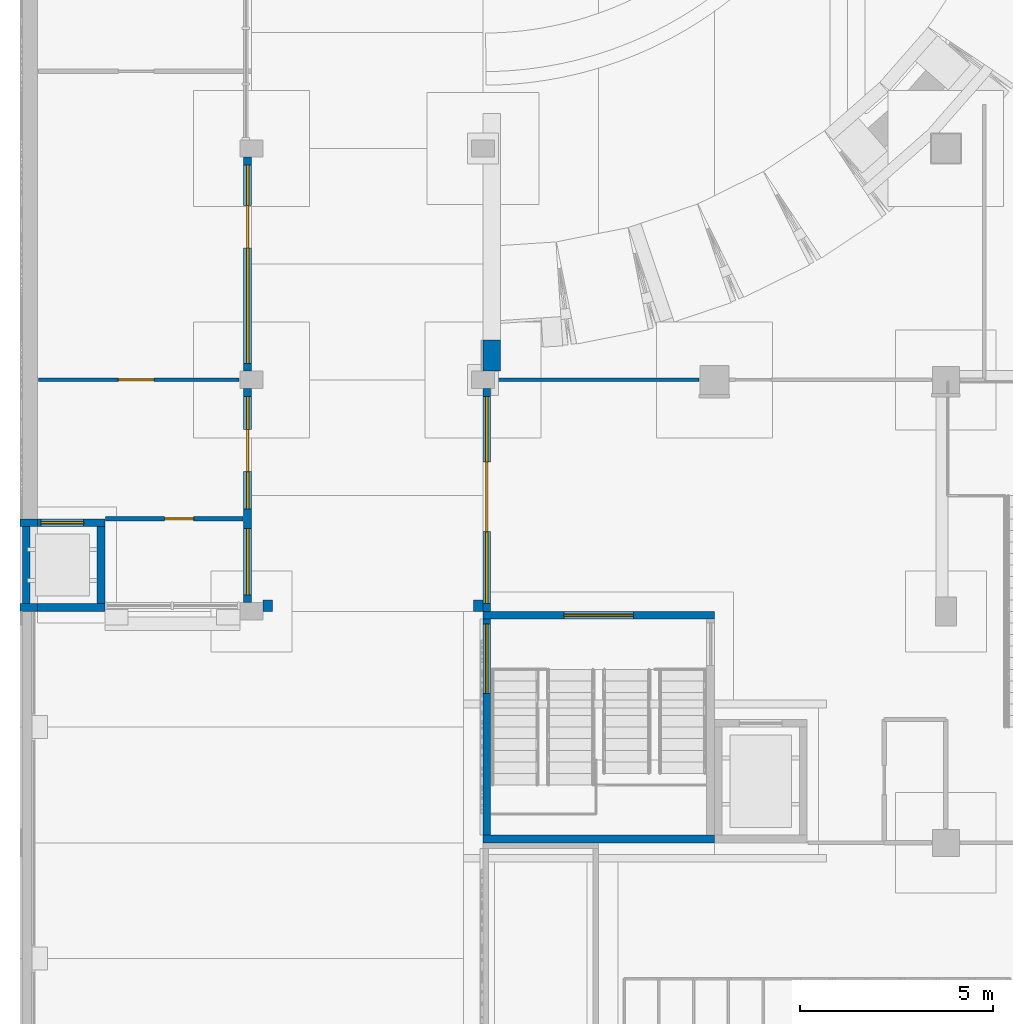
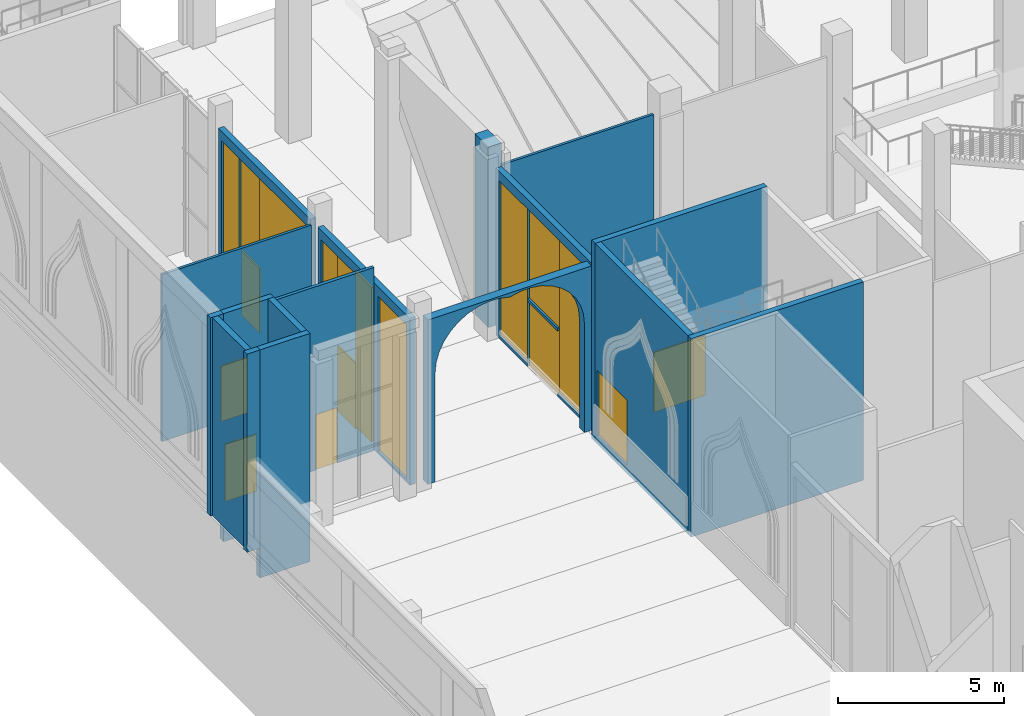
# One storey, part 49 of 95: 17 walls, 10 windows, 8 doors, 18 openings.
"""IFC4 building model written with IfcOpenShell, lengths in metres."""

import ifcopenshell
import ifcopenshell.guid

model = None  # the IFC model being written
_history = None  # IfcOwnerHistory: only IFC2X3 demands one
_inside = {}  # id of a spatial element -> (the spatial element, [elements in it])
_under = {}  # id of a project, library or spatial element -> (it, [spatial elements below it])
_declared = {}  # id of a project -> (the project, [libraries it declares])
_typed = {}  # id of a type object -> (the type object, [elements of that type])
_made_of = {}  # id of a material, layer set ... -> (it, [elements and type objects made of it])


def new_model(schema):
    """Start an empty IFC model of exactly this schema.

    Asked for "IFC4X3", IfcOpenShell would pick the latest addendum, in which some entities
    have other attributes; the version numbers below select the first issue.
    IFC2X3 requires an IfcOwnerHistory on every rooted entity: one is made here for all.
    """
    global model, _history
    if schema == "IFC4X3":
        model = ifcopenshell.file(schema_version=(4, 3, 0, 0))
    else:
        model = ifcopenshell.file(schema=schema)
    _inside.clear()
    _under.clear()
    _declared.clear()
    _typed.clear()
    _made_of.clear()
    _history = None
    if model.schema == "IFC2X3":
        org = make("IfcOrganization", Name="unknown")
        user = make(
            "IfcPersonAndOrganization",
            ThePerson=make("IfcPerson", FamilyName="unknown"),
            TheOrganization=org,
        )
        app = make(
            "IfcApplication",
            ApplicationDeveloper=org,
            Version="unknown",
            ApplicationFullName="unknown",
            ApplicationIdentifier="unknown",
        )
        _history = make(
            "IfcOwnerHistory",
            OwningUser=user,
            OwningApplication=app,
            ChangeAction="ADDED",
            CreationDate=0,
        )
    return model


def make(cls, **values):
    """One entity of the class cls with the attributes given. An attribute that is None is left unset."""
    return model.create_entity(
        cls, **{name: value for name, value in values.items() if value is not None}
    )


def rooted(cls, **values):
    """An entity with a GlobalId (a new one), such as an element, a storey or a relation."""
    return make(cls, GlobalId=ifcopenshell.guid.new(), OwnerHistory=_history, **values)


def si_unit(unit_type, name, prefix=None):
    """IfcSIUnit, for example si_unit("LENGTHUNIT", "METRE", prefix="MILLI")."""
    return make("IfcSIUnit", UnitType=unit_type, Prefix=prefix, Name=name)


def assignment(units):
    """IfcUnitAssignment: the units of a project."""
    return None if units is None else make("IfcUnitAssignment", Units=units)


def point(xyz):
    """IfcCartesianPoint."""
    return None if xyz is None else make("IfcCartesianPoint", Coordinates=xyz)


def direction(xyz):
    """IfcDirection."""
    return None if xyz is None else make("IfcDirection", DirectionRatios=xyz)


def frame(location, z_axis=None, x_axis=None):
    """IfcAxis2Placement3D, a coordinate frame: its origin and axes. An axis left out is left unset."""
    return make(
        "IfcAxis2Placement3D",
        Location=point(location),
        Axis=direction(z_axis),
        RefDirection=direction(x_axis),
    )


def frame_2d(location, x_axis=None):
    """IfcAxis2Placement2D, a coordinate frame in the plane: its origin and x axis."""
    return make(
        "IfcAxis2Placement2D", Location=point(location), RefDirection=direction(x_axis)
    )


def origin():
    """The frame at (0, 0, 0) with its axes left unset."""
    return frame((0.0, 0.0, 0.0))


def place(relative_to, where):
    """IfcLocalPlacement: puts the frame where relative to a parent placement (None: the world)."""
    return make(
        "IfcLocalPlacement", PlacementRelTo=relative_to, RelativePlacement=where
    )


def context(
    kind, dimensions, precision=None, world=None, true_north=None, identifier=None
):
    """IfcGeometricRepresentationContext, for example the 3D "Model" context."""
    return make(
        "IfcGeometricRepresentationContext",
        ContextIdentifier=identifier,
        ContextType=kind,
        CoordinateSpaceDimension=dimensions,
        Precision=precision,
        WorldCoordinateSystem=world,
        TrueNorth=true_north,
    )


def subcontext(parent, identifier, kind, view, scale=None):
    """IfcGeometricRepresentationSubContext, for example "Body" below "Model"."""
    return make(
        "IfcGeometricRepresentationSubContext",
        ContextIdentifier=identifier,
        ContextType=kind,
        ParentContext=parent,
        TargetScale=scale,
        TargetView=view,
    )


def project(units=None, contexts=None):
    """IfcProject with its units and contexts."""
    return rooted(
        "IfcProject",
        Name="project",
        RepresentationContexts=contexts,
        UnitsInContext=assignment(units),
    )


def spatial(cls, under=None, at=None, **own):
    """A site, building, storey or space (cls), placed at a placement, below another one or the project."""
    s = rooted(cls, ObjectPlacement=at, **own)
    if under is not None:
        _under.setdefault(under.id(), (under, []))[1].append(s)
    return s


def polyline(points):
    """IfcPolyline through the points."""
    return make("IfcPolyline", Points=[point(p) for p in points])


def profile(cls, at=None, kind="AREA", **sizes):
    """A parametric profile (cls). Its sizes go by their IFC names, for example OverallWidth=200.0."""
    return make(cls, ProfileType=kind, Position=at, **sizes)


def rectangle(**sizes):
    """IfcRectangleProfileDef."""
    return profile("IfcRectangleProfileDef", **sizes)


def outline(outer, holes=None, kind="AREA"):
    """IfcArbitraryClosedProfileDef: a profile drawn as a closed curve; with holes, ...WithVoids."""
    if holes is None:
        return make("IfcArbitraryClosedProfileDef", ProfileType=kind, OuterCurve=outer)
    return make(
        "IfcArbitraryProfileDefWithVoids",
        ProfileType=kind,
        OuterCurve=outer,
        InnerCurves=holes,
    )


def extrude(swept, where, along, depth):
    """IfcExtrudedAreaSolid: the profile swept, set in the frame where, extruded along a direction by depth."""
    return make(
        "IfcExtrudedAreaSolid",
        SweptArea=swept,
        Position=where,
        ExtrudedDirection=direction(along),
        Depth=depth,
    )


def shape(context_of_items, identifier, shape_type, items):
    """IfcShapeRepresentation: the items that make up one representation, for example the "Body"."""
    return make(
        "IfcShapeRepresentation",
        ContextOfItems=context_of_items,
        RepresentationIdentifier=identifier,
        RepresentationType=shape_type,
        Items=items,
    )


def material(Name=None, Category=None):
    """IfcMaterial."""
    return make("IfcMaterial", Name=Name, Category=Category)


def layer(
    of_material, thickness, ventilated=None, Name=None, Category=None, Priority=None
):
    """IfcMaterialLayer: one layer of a wall or slab, of a material (None: an air gap)."""
    return make(
        "IfcMaterialLayer",
        Material=of_material,
        LayerThickness=thickness,
        IsVentilated=ventilated,
        Name=Name,
        Category=Category,
        Priority=Priority,
    )


def layer_set(layers, Name=None):
    """IfcMaterialLayerSet."""
    return make("IfcMaterialLayerSet", MaterialLayers=layers, LayerSetName=Name)


def made_of(thing, what):
    """Note that an element or type object is made of a material, layer set ...; save() writes the relation."""
    if what is not None:
        _made_of.setdefault(what.id(), (what, []))[1].append(thing)
    return thing


def type_object(cls, material=None, **own):
    """A type object (cls), such as IfcWallType, which elements share."""
    return made_of(rooted(cls, **own), material)


def element(
    cls,
    number,
    at=None,
    inside=None,
    cuts=None,
    type_object=None,
    material=None,
    context=None,
    identifier="Body",
    shape_type=None,
    held_by="IfcProductDefinitionShape",
    body=None,
    shapes=None,
    **own,
):
    """One element of the class cls, such as IfcWall. Its Tag is "e" and its number.

    at: its placement. inside: the storey or other place that contains it. cuts: it is an
    opening in that element (IfcRelVoidsElement). A single representation is given by context,
    identifier, shape_type and body (its items); several are given by shapes. held_by: the class
    of the entity that holds the representations. save() writes the other relations.
    """
    e = rooted(cls, Tag="e%d" % number, ObjectPlacement=at, **own)
    if body is not None:
        shapes = [shape(context, identifier, shape_type, body)]
    if shapes is not None:
        e.Representation = make(held_by, Representations=shapes)
    if inside is not None:
        _inside.setdefault(inside.id(), (inside, []))[1].append(e)
    if cuts is not None:
        rooted(
            "IfcRelVoidsElement", RelatingBuildingElement=cuts, RelatedOpeningElement=e
        )
    if type_object is not None:
        _typed.setdefault(type_object.id(), (type_object, []))[1].append(e)
    return made_of(e, material)


def fill(opening, filler):
    """IfcRelFillsElement: the door or window that sits in an opening."""
    return rooted(
        "IfcRelFillsElement",
        RelatingOpeningElement=opening,
        RelatedBuildingElement=filler,
    )


def aggregate(whole, parts):
    """IfcRelAggregates: a whole, such as a stair, and the parts it consists of."""
    return rooted("IfcRelAggregates", RelatingObject=whole, RelatedObjects=parts)


def save(model, path):
    """Write the relations noted so far, then the file.

    IfcRelAggregates (storeys below a building ...), IfcRelContainedInSpatialStructure (elements
    in a storey), IfcRelDefinesByType, IfcRelAssociatesMaterial and IfcRelDeclares: one each for
    every whole, place, type object, material and project.
    """
    for whole, parts in _under.values():
        aggregate(whole, parts)
    for where, things in _inside.values():
        rooted(
            "IfcRelContainedInSpatialStructure",
            RelatedElements=things,
            RelatingStructure=where,
        )
    for kind, things in _typed.values():
        rooted("IfcRelDefinesByType", RelatedObjects=things, RelatingType=kind)
    for what, things in _made_of.values():
        rooted("IfcRelAssociatesMaterial", RelatedObjects=things, RelatingMaterial=what)
    for by, libraries in _declared.values():
        rooted("IfcRelDeclares", RelatingContext=by, RelatedDefinitions=libraries)
    model.write(path)


model = new_model("IFC4")

# Units and contexts
model_context = context("Model", 3, precision=1e-05, world=origin(), true_north=direction((0.0, 1.0)))
body_context = subcontext(model_context, "Body", "Model", "MODEL_VIEW")
ifc_project = project(units=[si_unit("LENGTHUNIT", "METRE"), si_unit("AREAUNIT", "SQUARE_METRE"), si_unit("VOLUMEUNIT", "CUBIC_METRE"), si_unit("PLANEANGLEUNIT", "RADIAN"), si_unit("MASSUNIT", "GRAM", prefix="KILO")], contexts=[model_context])

# Site, building, storey
site_placement = place(None, origin())
site = spatial("IfcSite", under=ifc_project, at=site_placement, CompositionType="ELEMENT")
building_placement = place(site_placement, origin())
building = spatial("IfcBuilding", under=site, at=building_placement, Name="Saffron Lane Theatres", CompositionType="ELEMENT")
storey_placement = place(building_placement, origin())
storey = spatial("IfcBuildingStorey", under=building, at=storey_placement, Name="L00", CompositionType="ELEMENT", Elevation=0.0)

# Wall
ifc_material_1 = material(Name="Masonry pale clay brick", Category="masonry")
ifc_layer_1 = layer(ifc_material_1, 0.300048828125)
ifc_layer_set_1 = layer_set([ifc_layer_1], Name="Masonry pale clay brick")
wall_type_1 = type_object("IfcWallType", Name="EX-ARCH SPANDREL BRICK 300", PredefinedType="SOLIDWALL", material=ifc_layer_set_1)
wall_1_placement = place(storey_placement, frame((6.300048828125, 102.0, 6.050048828125), z_axis=(0.0, -1.0, 0.0), x_axis=(0.0, 0.0, -1.0)))
element("IfcWall", 1, at=wall_1_placement, inside=storey, type_object=wall_type_1, Name="Arcade arch spandrel 2", PredefinedType="SOLIDWALL", context=body_context, shape_type="SweptSolid", body=[
    extrude(outline(polyline([(0.0, 0.0), (6.050048828125, 0.0), (6.050048828125, 0.25), (2.050048828125, 0.25), (1.677001953125, 0.284912109375), (1.318115234375, 0.388916015625), (0.984130859375, 0.558837890625), (0.68798828125, 0.786865234375), (0.43994140625, 1.06787109375), (0.248046875, 1.388916015625), (0.1201171875, 1.740966796875), (0.06005859375, 2.10986328125), (0.070068359375, 2.48388671875), (0.150146484375, 2.849853515625), (0.070068359375, 3.216064453125), (0.06005859375, 3.58984375), (0.1201171875, 3.958984375), (0.248046875, 4.31103515625), (0.43994140625, 4.6318359375), (0.68798828125, 4.912841796875), (0.984130859375, 5.140869140625), (1.318115234375, 5.31103515625), (1.677001953125, 5.4150390625), (2.050048828125, 5.449951171875), (6.050048828125, 5.449951171875), (6.050048828125, 5.699951171875), (0.0, 5.699951171875), (0.0, 0.0)])), origin(), (0.0, 0.0, -1.0), 0.300048828125),
])

# Wall, openings, door, windows
ifc_material_2 = material(Name="Aluminium", Category="aluminium")
ifc_layer_2 = layer(ifc_material_2, 0.199951171875)
ifc_layer_set_2 = layer_set([ifc_layer_2], Name="Aluminium")
wall_type_2 = type_object("IfcWallType", Name="EX-SCREEN ALUMINIUM 200", PredefinedType="SOLIDWALL", material=ifc_layer_set_2)
wall_2_placement = place(storey_placement, frame((12.10009765625, 102.0, 0.0), z_axis=(0.0, 0.0, 1.0), x_axis=(0.0, 1.0, 0.0)))
wall_2 = element("IfcWall", 2, at=wall_2_placement, inside=storey, type_object=wall_type_2, Name="External wall L00 04", PredefinedType="SOLIDWALL", context=body_context, shape_type="SweptSolid", body=[
    extrude(rectangle(XDim=5.77490234375, YDim=0.199951171875, at=frame_2d((2.887451171875, 0.0))), origin(), (0.0, 0.0, 1.0), 6.14990234375),
])
opening_1_placement = place(wall_2_placement, frame((2.070068359375, 0.0, 0.0)))
opening_1 = element("IfcOpeningElement", 3, at=opening_1_placement, cuts=wall_2, Name="Opening ED00-03", PredefinedType="OPENING", context=body_context, shape_type="SweptSolid", body=[
    extrude(rectangle(XDim=1.800048828125, YDim=2.39990234375, at=frame_2d((0.89990234375, 1.199951171875))), frame((0.0, 0.10986328125, 0.0), z_axis=(0.0, -1.0, 0.0), x_axis=(1.0, 0.0, 0.0)), (0.0, 0.0, 1.0), 0.219970703125),
])
opening_2_placement = place(wall_2_placement, frame((2.070068359375, 0.0, 2.5)))
opening_2 = element("IfcOpeningElement", 4, at=opening_2_placement, cuts=wall_2, Name="Opening WN00-009", PredefinedType="OPENING", context=body_context, shape_type="SweptSolid", body=[
    extrude(rectangle(XDim=1.800048828125, YDim=3.300048828125, at=frame_2d((0.89990234375, 1.64990234375))), frame((0.0, 0.10986328125, 0.0), z_axis=(0.0, -1.0, 0.0), x_axis=(1.0, 0.0, 0.0)), (0.0, 0.0, 1.0), 0.219970703125),
])
opening_3_placement = place(wall_2_placement, frame((0.199951171875, 0.0, 0.10009765625)))
opening_3 = element("IfcOpeningElement", 5, at=opening_3_placement, cuts=wall_2, Name="Opening WN00-010", PredefinedType="OPENING", context=body_context, shape_type="SweptSolid", body=[
    extrude(rectangle(XDim=1.8701171875, YDim=5.699951171875, at=frame_2d((0.93505859375, 2.85009765625))), frame((0.0, 0.10986328125, 0.0), z_axis=(0.0, -1.0, 0.0), x_axis=(1.0, 0.0, 0.0)), (0.0, 0.0, 1.0), 0.219970703125),
])
opening_4_placement = place(wall_2_placement, frame((3.8701171875, 0.0, 0.10009765625)))
opening_4 = element("IfcOpeningElement", 6, at=opening_4_placement, cuts=wall_2, Name="Opening WN00-011", PredefinedType="OPENING", context=body_context, shape_type="SweptSolid", body=[
    extrude(rectangle(XDim=1.705078125, YDim=5.699951171875, at=frame_2d((0.8525390625, 2.85009765625))), frame((0.0, 0.10986328125, 0.0), z_axis=(0.0, -1.0, 0.0), x_axis=(1.0, 0.0, 0.0)), (0.0, 0.0, 1.0), 0.219970703125),
])
ifc_material_3 = material(Name="Aluminium and glass door leaves", Category="aluminium")
door_type_1 = type_object("IfcDoorType", Name="EX-ENTRANCE DOOR PAIR 1800x2400", OperationType="DOUBLE_DOOR_SINGLE_SWING", PredefinedType="DOOR", material=ifc_material_3)
door_1_placement = place(opening_1_placement, origin())
door_1 = element("IfcDoor", 7, at=door_1_placement, inside=storey, type_object=door_type_1, Name="Main Foyer door", OperationType="DOUBLE_DOOR_SINGLE_SWING", OverallHeight=2.39990234375, OverallWidth=1.800048828125, PredefinedType="DOOR", context=body_context, shape_type="SweptSolid", body=[
    extrude(rectangle(XDim=1.800048828125, YDim=2.39990234375, at=frame_2d((0.89990234375, 1.199951171875))), frame((0.0, 0.02490234375, 0.0), z_axis=(0.0, -1.0, 0.0), x_axis=(1.0, 0.0, 0.0)), (0.0, 0.0, 1.0), 0.050048828125),
])
fill(opening_1, door_1)
ifc_material_4 = material(Name="Aluminium", Category="aluminium")
window_type_1 = type_object("IfcWindowType", Name="EX-WINDOW 1705x5700", PartitioningType="SINGLE_PANEL", PredefinedType="WINDOW", material=ifc_material_4)
window_1_placement = place(opening_4_placement, origin())
window_1 = element("IfcWindow", 8, at=window_1_placement, inside=storey, type_object=window_type_1, Name="Window L00 011", OverallHeight=5.699951171875, OverallWidth=1.705078125, PartitioningType="SINGLE_PANEL", PredefinedType="WINDOW", context=body_context, shape_type="SweptSolid", body=[
    extrude(rectangle(XDim=1.705078125, YDim=5.699951171875, at=frame_2d((0.8525390625, 2.85009765625))), frame((0.0, 0.030029296875, 0.0), z_axis=(0.0, -1.0, 0.0), x_axis=(1.0, 0.0, 0.0)), (0.0, 0.0, 1.0), 0.06005859375),
])
fill(opening_4, window_1)
ifc_material_5 = material(Name="Aluminium", Category="aluminium")
window_type_2 = type_object("IfcWindowType", Name="EX-WINDOW 1800x3300", PartitioningType="SINGLE_PANEL", PredefinedType="WINDOW", material=ifc_material_5)
window_2_placement = place(opening_2_placement, origin())
window_2 = element("IfcWindow", 9, at=window_2_placement, inside=storey, type_object=window_type_2, Name="Window L00 009", OverallHeight=3.300048828125, OverallWidth=1.800048828125, PartitioningType="SINGLE_PANEL", PredefinedType="WINDOW", context=body_context, shape_type="SweptSolid", body=[
    extrude(rectangle(XDim=1.800048828125, YDim=3.300048828125, at=frame_2d((0.89990234375, 1.64990234375))), frame((0.0, 0.030029296875, 0.0), z_axis=(0.0, -1.0, 0.0), x_axis=(1.0, 0.0, 0.0)), (0.0, 0.0, 1.0), 0.06005859375),
])
fill(opening_2, window_2)
ifc_material_6 = material(Name="Aluminium", Category="aluminium")
window_type_3 = type_object("IfcWindowType", Name="EX-WINDOW 1870x5700", PartitioningType="SINGLE_PANEL", PredefinedType="WINDOW", material=ifc_material_6)
window_3_placement = place(opening_3_placement, origin())
window_3 = element("IfcWindow", 10, at=window_3_placement, inside=storey, type_object=window_type_3, Name="Window L00 010", OverallHeight=5.699951171875, OverallWidth=1.8701171875, PartitioningType="SINGLE_PANEL", PredefinedType="WINDOW", context=body_context, shape_type="SweptSolid", body=[
    extrude(rectangle(XDim=1.8701171875, YDim=5.699951171875, at=frame_2d((0.93505859375, 2.85009765625))), frame((0.0, 0.030029296875, 0.0), z_axis=(0.0, -1.0, 0.0), x_axis=(1.0, 0.0, 0.0)), (0.0, 0.0, 1.0), 0.06005859375),
])
fill(opening_3, window_3)

wall_3_placement = place(storey_placement, frame((5.89990234375, 113.77490234375, 0.0), z_axis=(0.0, 0.0, 1.0), x_axis=(0.0, -1.0, 0.0)))
wall_3 = element("IfcWall", 11, at=wall_3_placement, inside=storey, type_object=wall_type_2, Name="External wall L00 30", PredefinedType="SOLIDWALL", context=body_context, shape_type="SweptSolid", body=[
    extrude(rectangle(XDim=5.5498046875, YDim=0.199951171875, at=frame_2d((2.77490234375, 0.0))), origin(), (0.0, 0.0, 1.0), 6.14990234375),
])
opening_5_placement = place(wall_3_placement, frame((1.2548828125, 0.0, 0.0)))
opening_5 = element("IfcOpeningElement", 12, at=opening_5_placement, cuts=wall_3, Name="Opening ED00-15", PredefinedType="OPENING", context=body_context, shape_type="SweptSolid", body=[
    extrude(rectangle(XDim=1.10009765625, YDim=2.39990234375, at=frame_2d((0.550048828125, 1.199951171875))), frame((0.0, 0.10986328125, 0.0), z_axis=(0.0, -1.0, 0.0), x_axis=(1.0, 0.0, 0.0)), (0.0, 0.0, 1.0), 0.219970703125),
])
opening_6_placement = place(wall_3_placement, frame((1.2548828125, 0.0, 2.5)))
opening_6 = element("IfcOpeningElement", 13, at=opening_6_placement, cuts=wall_3, Name="Opening WN00-038", PredefinedType="OPENING", context=body_context, shape_type="SweptSolid", body=[
    extrude(rectangle(XDim=1.10009765625, YDim=3.300048828125, at=frame_2d((0.550048828125, 1.64990234375))), frame((0.0, 0.10986328125, 0.0), z_axis=(0.0, -1.0, 0.0), x_axis=(1.0, 0.0, 0.0)), (0.0, 0.0, 1.0), 0.219970703125),
])
opening_7_placement = place(wall_3_placement, frame((0.199951171875, 0.0, 0.10009765625)))
opening_7 = element("IfcOpeningElement", 14, at=opening_7_placement, cuts=wall_3, Name="Opening WN00-039", PredefinedType="OPENING", context=body_context, shape_type="SweptSolid", body=[
    extrude(rectangle(XDim=1.054931640625, YDim=5.699951171875, at=frame_2d((0.52734375, 2.85009765625))), frame((0.0, 0.10986328125, 0.0), z_axis=(0.0, -1.0, 0.0), x_axis=(1.0, 0.0, 0.0)), (0.0, 0.0, 1.0), 0.219970703125),
])
opening_8_placement = place(wall_3_placement, frame((2.35498046875, 0.0, 0.10009765625)))
opening_8 = element("IfcOpeningElement", 15, at=opening_8_placement, cuts=wall_3, Name="Opening WN00-040", PredefinedType="OPENING", context=body_context, shape_type="SweptSolid", body=[
    extrude(rectangle(XDim=2.9951171875, YDim=5.699951171875, at=frame_2d((1.49755859375, 2.85009765625))), frame((0.0, 0.10986328125, 0.0), z_axis=(0.0, -1.0, 0.0), x_axis=(1.0, 0.0, 0.0)), (0.0, 0.0, 1.0), 0.219970703125),
])
ifc_material_7 = material(Name="Aluminium and glass door leaf", Category="aluminium")
door_type_2 = type_object("IfcDoorType", Name="EX-DOOR 1100x2400", OperationType="NOTDEFINED", PredefinedType="DOOR", material=ifc_material_7)
door_2_placement = place(opening_5_placement, origin())
door_2 = element("IfcDoor", 16, at=door_2_placement, inside=storey, type_object=door_type_2, Name="Cafe door", OperationType="SINGLE_SWING_RIGHT", OverallHeight=2.39990234375, OverallWidth=1.10009765625, PredefinedType="DOOR", context=body_context, shape_type="SweptSolid", body=[
    extrude(rectangle(XDim=1.10009765625, YDim=2.39990234375, at=frame_2d((0.550048828125, 1.199951171875))), frame((0.0, 0.02490234375, 0.0), z_axis=(0.0, -1.0, 0.0), x_axis=(1.0, 0.0, 0.0)), (0.0, 0.0, 1.0), 0.050048828125),
])
fill(opening_5, door_2)
ifc_material_8 = material(Name="Aluminium", Category="aluminium")
window_type_4 = type_object("IfcWindowType", Name="EX-WINDOW 1055x5700", PartitioningType="SINGLE_PANEL", PredefinedType="WINDOW", material=ifc_material_8)
window_4_placement = place(opening_7_placement, origin())
window_4 = element("IfcWindow", 17, at=window_4_placement, inside=storey, type_object=window_type_4, Name="Window L00 039", OverallHeight=5.699951171875, OverallWidth=1.054931640625, PartitioningType="SINGLE_PANEL", PredefinedType="WINDOW", context=body_context, shape_type="SweptSolid", body=[
    extrude(rectangle(XDim=1.054931640625, YDim=5.699951171875, at=frame_2d((0.52734375, 2.85009765625))), frame((0.0, 0.030029296875, 0.0), z_axis=(0.0, -1.0, 0.0), x_axis=(1.0, 0.0, 0.0)), (0.0, 0.0, 1.0), 0.06005859375),
])
fill(opening_7, window_4)
ifc_material_9 = material(Name="Aluminium", Category="aluminium")
window_type_5 = type_object("IfcWindowType", Name="EX-WINDOW 1100x3300", PartitioningType="SINGLE_PANEL", PredefinedType="WINDOW", material=ifc_material_9)
window_5_placement = place(opening_6_placement, origin())
window_5 = element("IfcWindow", 18, at=window_5_placement, inside=storey, type_object=window_type_5, Name="Window L00 038", OverallHeight=3.300048828125, OverallWidth=1.10009765625, PartitioningType="SINGLE_PANEL", PredefinedType="WINDOW", context=body_context, shape_type="SweptSolid", body=[
    extrude(rectangle(XDim=1.10009765625, YDim=3.300048828125, at=frame_2d((0.550048828125, 1.64990234375))), frame((0.0, 0.030029296875, 0.0), z_axis=(0.0, -1.0, 0.0), x_axis=(1.0, 0.0, 0.0)), (0.0, 0.0, 1.0), 0.06005859375),
])
fill(opening_6, window_5)
ifc_material_10 = material(Name="Aluminium", Category="aluminium")
window_type_6 = type_object("IfcWindowType", Name="EX-WINDOW 2995x5700", PartitioningType="SINGLE_PANEL", PredefinedType="WINDOW", material=ifc_material_10)
window_6_placement = place(opening_8_placement, origin())
window_6 = element("IfcWindow", 19, at=window_6_placement, inside=storey, type_object=window_type_6, Name="Window L00 040", OverallHeight=5.699951171875, OverallWidth=2.9951171875, PartitioningType="SINGLE_PANEL", PredefinedType="WINDOW", context=body_context, shape_type="SweptSolid", body=[
    extrude(rectangle(XDim=2.9951171875, YDim=5.699951171875, at=frame_2d((1.49755859375, 2.85009765625))), frame((0.0, 0.030029296875, 0.0), z_axis=(0.0, -1.0, 0.0), x_axis=(1.0, 0.0, 0.0)), (0.0, 0.0, 1.0), 0.06005859375),
])
fill(opening_8, window_6)

wall_4_placement = place(storey_placement, frame((5.89990234375, 107.77490234375, 0.0), z_axis=(0.0, 0.0, 1.0), x_axis=(0.0, -1.0, 0.0)))
wall_4 = element("IfcWall", 20, at=wall_4_placement, inside=storey, type_object=wall_type_2, Name="External wall L00 31", PredefinedType="SOLIDWALL", context=body_context, shape_type="SweptSolid", body=[
    extrude(rectangle(XDim=5.5498046875, YDim=0.199951171875, at=frame_2d((2.77490234375, 0.0))), origin(), (0.0, 0.0, 1.0), 6.14990234375),
])
opening_9_placement = place(wall_4_placement, frame((1.054931640625, 0.0, 0.0)))
opening_9 = element("IfcOpeningElement", 21, at=opening_9_placement, cuts=wall_4, Name="Opening ED00-16", PredefinedType="OPENING", context=body_context, shape_type="SweptSolid", body=[
    extrude(rectangle(XDim=1.10009765625, YDim=2.39990234375, at=frame_2d((0.550048828125, 1.199951171875))), frame((0.0, 0.10986328125, 0.0), z_axis=(0.0, -1.0, 0.0), x_axis=(1.0, 0.0, 0.0)), (0.0, 0.0, 1.0), 0.219970703125),
])
opening_10_placement = place(wall_4_placement, frame((1.054931640625, 0.0, 2.5)))
opening_10 = element("IfcOpeningElement", 22, at=opening_10_placement, cuts=wall_4, Name="Opening WN00-041", PredefinedType="OPENING", context=body_context, shape_type="SweptSolid", body=[
    extrude(rectangle(XDim=1.10009765625, YDim=3.300048828125, at=frame_2d((0.550048828125, 1.64990234375))), frame((0.0, 0.10986328125, 0.0), z_axis=(0.0, -1.0, 0.0), x_axis=(1.0, 0.0, 0.0)), (0.0, 0.0, 1.0), 0.219970703125),
])
opening_11_placement = place(wall_4_placement, frame((0.199951171875, 0.0, 0.10009765625)))
opening_11 = element("IfcOpeningElement", 23, at=opening_11_placement, cuts=wall_4, Name="Opening WN00-042", PredefinedType="OPENING", context=body_context, shape_type="SweptSolid", body=[
    extrude(rectangle(XDim=0.85498046875, YDim=5.699951171875, at=frame_2d((0.427490234375, 2.85009765625))), frame((0.0, 0.10986328125, 0.0), z_axis=(0.0, -1.0, 0.0), x_axis=(1.0, 0.0, 0.0)), (0.0, 0.0, 1.0), 0.219970703125),
])
opening_12_placement = place(wall_4_placement, frame((2.155029296875, 0.0, 0.10009765625)))
opening_12 = element("IfcOpeningElement", 24, at=opening_12_placement, cuts=wall_4, Name="Opening WN00-043", PredefinedType="OPENING", context=body_context, shape_type="SweptSolid", body=[
    extrude(rectangle(XDim=0.969970703125, YDim=5.699951171875, at=frame_2d((0.48486328125, 2.85009765625))), frame((0.0, 0.10986328125, 0.0), z_axis=(0.0, -1.0, 0.0), x_axis=(1.0, 0.0, 0.0)), (0.0, 0.0, 1.0), 0.219970703125),
])
opening_13_placement = place(wall_4_placement, frame((3.625, 0.0, 0.10009765625)))
opening_13 = element("IfcOpeningElement", 25, at=opening_13_placement, cuts=wall_4, Name="Opening WN00-044", PredefinedType="OPENING", context=body_context, shape_type="SweptSolid", body=[
    extrude(rectangle(XDim=1.72509765625, YDim=5.699951171875, at=frame_2d((0.862548828125, 2.85009765625))), frame((0.0, 0.10986328125, 0.0), z_axis=(0.0, -1.0, 0.0), x_axis=(1.0, 0.0, 0.0)), (0.0, 0.0, 1.0), 0.219970703125),
])
door_3_placement = place(opening_9_placement, origin())
door_3 = element("IfcDoor", 26, at=door_3_placement, inside=storey, type_object=door_type_2, Name="Lift Lobby LF7 door", OperationType="SINGLE_SWING_LEFT", OverallHeight=2.39990234375, OverallWidth=1.10009765625, PredefinedType="DOOR", context=body_context, shape_type="SweptSolid", body=[
    extrude(rectangle(XDim=1.10009765625, YDim=2.39990234375, at=frame_2d((0.550048828125, 1.199951171875))), frame((0.0, 0.02490234375, 0.0), z_axis=(0.0, -1.0, 0.0), x_axis=(1.0, 0.0, 0.0)), (0.0, 0.0, 1.0), 0.050048828125),
])
fill(opening_9, door_3)
window_7_placement = place(opening_10_placement, origin())
window_7 = element("IfcWindow", 27, at=window_7_placement, inside=storey, type_object=window_type_5, Name="Window L00 041", OverallHeight=3.300048828125, OverallWidth=1.10009765625, PartitioningType="SINGLE_PANEL", PredefinedType="WINDOW", context=body_context, shape_type="SweptSolid", body=[
    extrude(rectangle(XDim=1.10009765625, YDim=3.300048828125, at=frame_2d((0.550048828125, 1.64990234375))), frame((0.0, 0.030029296875, 0.0), z_axis=(0.0, -1.0, 0.0), x_axis=(1.0, 0.0, 0.0)), (0.0, 0.0, 1.0), 0.06005859375),
])
fill(opening_10, window_7)
ifc_material_11 = material(Name="Aluminium", Category="aluminium")
window_type_7 = type_object("IfcWindowType", Name="EX-WINDOW 1725x5700", PartitioningType="SINGLE_PANEL", PredefinedType="WINDOW", material=ifc_material_11)
window_8_placement = place(opening_13_placement, origin())
window_8 = element("IfcWindow", 28, at=window_8_placement, inside=storey, type_object=window_type_7, Name="Window L00 044", OverallHeight=5.699951171875, OverallWidth=1.72509765625, PartitioningType="SINGLE_PANEL", PredefinedType="WINDOW", context=body_context, shape_type="SweptSolid", body=[
    extrude(rectangle(XDim=1.72509765625, YDim=5.699951171875, at=frame_2d((0.862548828125, 2.85009765625))), frame((0.0, 0.030029296875, 0.0), z_axis=(0.0, -1.0, 0.0), x_axis=(1.0, 0.0, 0.0)), (0.0, 0.0, 1.0), 0.06005859375),
])
fill(opening_13, window_8)
ifc_material_12 = material(Name="Aluminium", Category="aluminium")
window_type_8 = type_object("IfcWindowType", Name="EX-WINDOW 855x5700", PartitioningType="SINGLE_PANEL", PredefinedType="WINDOW", material=ifc_material_12)
window_9_placement = place(opening_11_placement, origin())
window_9 = element("IfcWindow", 29, at=window_9_placement, inside=storey, type_object=window_type_8, Name="Window L00 042", OverallHeight=5.699951171875, OverallWidth=0.85498046875, PartitioningType="SINGLE_PANEL", PredefinedType="WINDOW", context=body_context, shape_type="SweptSolid", body=[
    extrude(rectangle(XDim=0.85498046875, YDim=5.699951171875, at=frame_2d((0.427490234375, 2.85009765625))), frame((0.0, 0.030029296875, 0.0), z_axis=(0.0, -1.0, 0.0), x_axis=(1.0, 0.0, 0.0)), (0.0, 0.0, 1.0), 0.06005859375),
])
fill(opening_11, window_9)
ifc_material_13 = material(Name="Aluminium", Category="aluminium")
window_type_9 = type_object("IfcWindowType", Name="EX-WINDOW 970x5700", PartitioningType="SINGLE_PANEL", PredefinedType="WINDOW", material=ifc_material_13)
window_10_placement = place(opening_12_placement, origin())
window_10 = element("IfcWindow", 30, at=window_10_placement, inside=storey, type_object=window_type_9, Name="Window L00 043", OverallHeight=5.699951171875, OverallWidth=0.969970703125, PartitioningType="SINGLE_PANEL", PredefinedType="WINDOW", context=body_context, shape_type="SweptSolid", body=[
    extrude(rectangle(XDim=0.969970703125, YDim=5.699951171875, at=frame_2d((0.48486328125, 2.85009765625))), frame((0.0, 0.030029296875, 0.0), z_axis=(0.0, -1.0, 0.0), x_axis=(1.0, 0.0, 0.0)), (0.0, 0.0, 1.0), 0.06005859375),
])
fill(opening_12, window_10)

# Wall
ifc_material_14 = material(Name="Masonry pale clay brick", Category="masonry")
ifc_layer_3 = layer(ifc_material_14, 0.449951171875)
ifc_layer_set_3 = layer_set([ifc_layer_3], Name="Masonry pale clay brick")
wall_type_3 = type_object("IfcWallType", Name="EX-WALL BRICK 450", PredefinedType="SOLIDWALL", material=ifc_layer_set_3)
wall_5_placement = place(storey_placement, frame((12.22509765625, 108.22509765625, 0.0), z_axis=(0.0, 0.0, 1.0), x_axis=(0.0, 1.0, 0.0)))
element("IfcWall", 31, at=wall_5_placement, inside=storey, type_object=wall_type_3, Name="External wall L00 05", PredefinedType="SOLIDWALL", context=body_context, shape_type="SweptSolid", body=[
    extrude(rectangle(XDim=0.80615234375, YDim=0.449951171875, at=frame_2d((0.403076171875, 0.0))), origin(), (0.0, 0.0, 1.0), 6.64990234375),
])

# Wall, opening, door
ifc_material_15 = material(Name="Masonry block partition", Category="masonry")
ifc_layer_4 = layer(ifc_material_15, 0.110107421875)
ifc_layer_set_4 = layer_set([ifc_layer_4], Name="Masonry block partition")
wall_type_4 = type_object("IfcWallType", Name="IN-BLOCK PARTITION 110", PredefinedType="PARTITIONING", material=ifc_layer_set_4)
wall_6_placement = place(storey_placement, frame((2.219970703125, 104.39990234375, 0.0), z_axis=(0.0, 0.0, 1.0), x_axis=(1.0, 0.0, 0.0)))
wall_6 = element("IfcWall", 32, at=wall_6_placement, inside=storey, type_object=wall_type_4, Name="PW-L00-007", PredefinedType="PARTITIONING", context=body_context, shape_type="SweptSolid", body=[
    extrude(rectangle(XDim=3.559814453125, YDim=0.110107421875, at=frame_2d((1.77978515625, 0.0))), origin(), (0.0, 0.0, 1.0), 6.75),
])
opening_14_placement = place(wall_6_placement, frame((1.530029296875, 0.0, 0.0)))
opening_14 = element("IfcOpeningElement", 33, at=opening_14_placement, cuts=wall_6, Name="Opening D00-50", PredefinedType="OPENING", context=body_context, shape_type="SweptSolid", body=[
    extrude(rectangle(XDim=0.75, YDim=2.0400390625, at=frame_2d((0.375, 1.02001953125))), frame((0.0, 0.06494140625, 0.0), z_axis=(0.0, -1.0, 0.0), x_axis=(1.0, 0.0, 0.0)), (0.0, 0.0, 1.0), 0.130126953125),
])
ifc_material_16 = material(Name="Steel faced fire door leaf", Category="steel")
door_type_3 = type_object("IfcDoorType", Name="IN-DOOR 750x2040 FD60", OperationType="NOTDEFINED", PredefinedType="DOOR", material=ifc_material_16)
door_4_placement = place(opening_14_placement, frame((0.75, 0.0, 0.0), z_axis=(0.0, 0.0, 1.0), x_axis=(-1.0, 0.0, 0.0)))
door_4 = element("IfcDoor", 34, at=door_4_placement, inside=storey, type_object=door_type_3, Name="D00-50", OperationType="SINGLE_SWING_LEFT", OverallHeight=2.0400390625, OverallWidth=0.75, PredefinedType="DOOR", context=body_context, shape_type="SweptSolid", body=[
    extrude(rectangle(XDim=0.75, YDim=2.0400390625, at=frame_2d((0.375, 1.02001953125))), frame((0.0, 0.02490234375, 0.0), z_axis=(0.0, -1.0, 0.0), x_axis=(1.0, 0.0, 0.0)), (0.0, 0.0, 1.0), 0.050048828125),
])
fill(opening_14, door_4)

ifc_material_17 = material(Name="Plasterboard on 90 mm steel studs", Category="steel")
ifc_layer_5 = layer(ifc_material_17, 0.090087890625)
ifc_layer_set_5 = layer_set([ifc_layer_5], Name="Plasterboard on 90 mm steel studs")
wall_type_5 = type_object("IfcWallType", Name="IN-STUD PARTITION 090", PredefinedType="PARTITIONING", material=ifc_layer_set_5)
wall_7_placement = place(storey_placement, frame((0.47998046875, 108.0, 0.0), z_axis=(0.0, 0.0, 1.0), x_axis=(1.0, 0.0, 0.0)))
wall_7 = element("IfcWall", 35, at=wall_7_placement, inside=storey, type_object=wall_type_5, Name="PW-L00-102", PredefinedType="PARTITIONING", context=body_context, shape_type="SweptSolid", body=[
    extrude(rectangle(XDim=5.199951171875, YDim=0.090087890625, at=frame_2d((2.60009765625, 0.0))), origin(), (0.0, 0.0, 1.0), 6.14990234375),
])
opening_15_placement = place(wall_7_placement, frame((2.070068359375, 0.0, 0.0)))
opening_15 = element("IfcOpeningElement", 36, at=opening_15_placement, cuts=wall_7, Name="Opening D00-01", PredefinedType="OPENING", context=body_context, shape_type="SweptSolid", body=[
    extrude(rectangle(XDim=0.919921875, YDim=2.0400390625, at=frame_2d((0.4599609375, 1.02001953125))), frame((0.0, 0.05517578125, 0.0), z_axis=(0.0, -1.0, 0.0), x_axis=(1.0, 0.0, 0.0)), (0.0, 0.0, 1.0), 0.110107421875),
])
ifc_material_18 = material(Name="Timber door leaf", Category="wood")
door_type_4 = type_object("IfcDoorType", Name="IN-DOOR 920x2040", OperationType="NOTDEFINED", PredefinedType="DOOR", material=ifc_material_18)
door_5_placement = place(opening_15_placement, origin())
door_5 = element("IfcDoor", 37, at=door_5_placement, inside=storey, type_object=door_type_4, Name="D00-01", OperationType="SINGLE_SWING_LEFT", OverallHeight=2.0400390625, OverallWidth=0.919921875, PredefinedType="DOOR", context=body_context, shape_type="SweptSolid", body=[
    extrude(rectangle(XDim=0.919921875, YDim=2.0400390625, at=frame_2d((0.4599609375, 1.02001953125))), frame((0.0, 0.02490234375, 0.0), z_axis=(0.0, -1.0, 0.0), x_axis=(1.0, 0.0, 0.0)), (0.0, 0.0, 1.0), 0.050048828125),
])
fill(opening_15, door_5)

# Wall
wall_8_placement = place(storey_placement, frame((12.320068359375, 108.0, 0.0), z_axis=(0.0, 0.0, 1.0), x_axis=(1.0, 0.0, 0.0)))
element("IfcWall", 38, at=wall_8_placement, inside=storey, type_object=wall_type_5, Name="PW-L00-103", PredefinedType="PARTITIONING", context=body_context, shape_type="SweptSolid", body=[
    extrude(rectangle(XDim=5.284912109375, YDim=0.090087890625, at=frame_2d((2.642578125, 0.0))), origin(), (0.0, 0.0, 1.0), 6.050048828125),
])

# Wall, opening, door
ifc_material_19 = material(Name="Concrete N50 (50 MPa)", Category="concrete")
ifc_layer_6 = layer(ifc_material_19, 0.199951171875)
ifc_layer_set_6 = layer_set([ifc_layer_6], Name="Concrete N50 (50 MPa)")
wall_type_6 = type_object("IfcWallType", Name="RC-CORE 200", PredefinedType="SHEAR", material=ifc_layer_set_6)
wall_9_placement = place(storey_placement, frame((12.0, 101.89990234375, -0.300048828125), z_axis=(0.0, 0.0, 1.0), x_axis=(1.0, 0.0, 0.0)))
wall_9 = element("IfcWall", 39, at=wall_9_placement, inside=storey, type_object=wall_type_6, Name="W-ST1-N-L00", PredefinedType="SHEAR", context=body_context, shape_type="SweptSolid", body=[
    extrude(rectangle(XDim=6.0, YDim=0.199951171875, at=frame_2d((3.0, 0.0))), origin(), (0.0, 0.0, 1.0), 7.300048828125),
])
opening_16_placement = place(wall_9_placement, frame((2.10009765625, 0.0, 0.300048828125)))
opening_16 = element("IfcOpeningElement", 40, at=opening_16_placement, cuts=wall_9, Name="Opening D00-31", PredefinedType="OPENING", context=body_context, shape_type="SweptSolid", body=[
    extrude(rectangle(XDim=1.800048828125, YDim=2.199951171875, at=frame_2d((0.89990234375, 1.10009765625))), frame((0.0, 0.10986328125, 0.0), z_axis=(0.0, -1.0, 0.0), x_axis=(1.0, 0.0, 0.0)), (0.0, 0.0, 1.0), 0.219970703125),
])
ifc_material_20 = material(Name="Steel faced fire door leaf", Category="steel")
door_type_5 = type_object("IfcDoorType", Name="IN-DOOR 1800x2200 FD120", OperationType="DOUBLE_DOOR_SINGLE_SWING", PredefinedType="DOOR", material=ifc_material_20)
door_6_placement = place(opening_16_placement, frame((1.800048828125, 0.0, 0.0), z_axis=(0.0, 0.0, 1.0), x_axis=(-1.0, 0.0, 0.0)))
door_6 = element("IfcDoor", 41, at=door_6_placement, inside=storey, type_object=door_type_5, Name="D00-31", OperationType="DOUBLE_DOOR_SINGLE_SWING", OverallHeight=2.199951171875, OverallWidth=1.800048828125, PredefinedType="DOOR", context=body_context, shape_type="SweptSolid", body=[
    extrude(rectangle(XDim=1.800048828125, YDim=2.199951171875, at=frame_2d((0.89990234375, 1.10009765625))), frame((0.0, 0.02490234375, 0.0), z_axis=(0.0, -1.0, 0.0), x_axis=(1.0, 0.0, 0.0)), (0.0, 0.0, 1.0), 0.050048828125),
])
fill(opening_16, door_6)

# Walls
wall_10_placement = place(storey_placement, frame((12.0, 96.10009765625, -0.300048828125), z_axis=(0.0, 0.0, 1.0), x_axis=(1.0, 0.0, 0.0)))
element("IfcWall", 42, at=wall_10_placement, inside=storey, type_object=wall_type_6, Name="W-ST1-S-L00", PredefinedType="SHEAR", context=body_context, shape_type="SweptSolid", body=[
    extrude(rectangle(XDim=6.0, YDim=0.199951171875, at=frame_2d((3.0, 0.0))), origin(), (0.0, 0.0, 1.0), 7.300048828125),
])
wall_11_placement = place(storey_placement, frame((0.00048828125, 104.300048828125, -0.300048828125), z_axis=(0.0, 0.0, 1.0), x_axis=(1.0, 0.0, 0.0)))
element("IfcWall", 43, at=wall_11_placement, inside=storey, type_object=wall_type_6, Name="W-LC7-N-L00-end1", PredefinedType="SHEAR", context=body_context, shape_type="SweptSolid", body=[
    extrude(rectangle(XDim=0.449951171875, YDim=0.199951171875, at=frame_2d((0.22509765625, 0.0))), origin(), (0.0, 0.0, 1.0), 7.300048828125),
])

# Wall, opening, door
wall_12_placement = place(storey_placement, frame((0.450439453125, 104.300048828125, -1.39990234375), z_axis=(0.0, 0.0, 1.0), x_axis=(1.0, 0.0, 0.0)))
wall_12 = element("IfcWall", 44, at=wall_12_placement, inside=storey, type_object=wall_type_6, Name="W-LC7-N-L00", PredefinedType="SHEAR", context=body_context, shape_type="SweptSolid", body=[
    extrude(rectangle(XDim=1.74951171875, YDim=0.199951171875, at=frame_2d((0.874755859375, 0.0))), origin(), (0.0, 0.0, 1.0), 8.39990234375),
])
opening_17_placement = place(wall_12_placement, frame((0.099609375, 0.0, 1.39990234375)))
opening_17 = element("IfcOpeningElement", 45, at=opening_17_placement, cuts=wall_12, Name="Opening LD23", PredefinedType="OPENING", context=body_context, shape_type="SweptSolid", body=[
    extrude(rectangle(XDim=1.10009765625, YDim=2.10009765625, at=frame_2d((0.550048828125, 1.050048828125))), frame((0.0, 0.10986328125, 0.0), z_axis=(0.0, -1.0, 0.0), x_axis=(1.0, 0.0, 0.0)), (0.0, 0.0, 1.0), 0.219970703125),
])
ifc_material_21 = material(Name="Stainless steel 316", Category="steel")
door_type_6 = type_object("IfcDoorType", Name="VC-LANDING DOOR 1100x2100", OperationType="DOUBLE_DOOR_SLIDING", PredefinedType="DOOR", material=ifc_material_21)
door_7_placement = place(opening_17_placement, origin())
door_7 = element("IfcDoor", 46, at=door_7_placement, inside=storey, type_object=door_type_6, Name="Landing doors LC7 L00", OperationType="DOUBLE_DOOR_SLIDING", OverallHeight=2.10009765625, OverallWidth=1.10009765625, PredefinedType="DOOR", context=body_context, shape_type="SweptSolid", body=[
    extrude(rectangle(XDim=1.10009765625, YDim=2.10009765625, at=frame_2d((0.550048828125, 1.050048828125))), frame((0.0, 0.02490234375, 0.0), z_axis=(0.0, -1.0, 0.0), x_axis=(1.0, 0.0, 0.0)), (0.0, 0.0, 1.0), 0.050048828125),
])
fill(opening_17, door_7)

# Wall
wall_13_placement = place(storey_placement, frame((2.10009765625, 102.199951171875, -1.39990234375), z_axis=(0.0, 0.0, 1.0), x_axis=(0.0, 1.0, 0.0)))
element("IfcWall", 47, at=wall_13_placement, inside=storey, type_object=wall_type_6, Name="W-LC7-E-L00", PredefinedType="SHEAR", context=body_context, shape_type="SweptSolid", body=[
    extrude(rectangle(XDim=2.0, YDim=0.199951171875, at=frame_2d((1.0, 0.0))), origin(), (0.0, 0.0, 1.0), 8.39990234375),
])

# Wall, opening, door
ifc_material_22 = material(Name="Concrete N50 (50 MPa)", Category="concrete")
ifc_layer_7 = layer(ifc_material_22, 0.199951171875)
ifc_layer_set_7 = layer_set([ifc_layer_7], Name="Concrete N50 (50 MPa)")
wall_type_7 = type_object("IfcWallType", Name="RC-CORE EXTERNAL 200", PredefinedType="SHEAR", material=ifc_layer_set_7)
wall_14_placement = place(storey_placement, frame((12.10009765625, 96.199951171875, -0.300048828125), z_axis=(0.0, 0.0, 1.0), x_axis=(0.0, 1.0, 0.0)))
wall_14 = element("IfcWall", 48, at=wall_14_placement, inside=storey, type_object=wall_type_7, Name="W-ST1-W-L00", PredefinedType="SHEAR", context=body_context, shape_type="SweptSolid", body=[
    extrude(rectangle(XDim=5.60009765625, YDim=0.199951171875, at=frame_2d((2.800048828125, 0.0))), origin(), (0.0, 0.0, 1.0), 7.300048828125),
])
opening_18_placement = place(wall_14_placement, frame((3.675048828125, 0.0, 0.300048828125)))
opening_18 = element("IfcOpeningElement", 49, at=opening_18_placement, cuts=wall_14, Name="Opening EDST1", PredefinedType="OPENING", context=body_context, shape_type="SweptSolid", body=[
    extrude(rectangle(XDim=1.800048828125, YDim=2.39990234375, at=frame_2d((0.89990234375, 1.199951171875))), frame((0.0, 0.10986328125, 0.0), z_axis=(0.0, -1.0, 0.0), x_axis=(1.0, 0.0, 0.0)), (0.0, 0.0, 1.0), 0.219970703125),
])
ifc_material_23 = material(Name="Steel faced fire door leaf", Category="steel")
door_type_7 = type_object("IfcDoorType", Name="EX-EXIT DOOR PAIR 1800x2400", OperationType="DOUBLE_DOOR_SINGLE_SWING", PredefinedType="DOOR", material=ifc_material_23)
door_8_placement = place(opening_18_placement, origin())
door_8 = element("IfcDoor", 50, at=door_8_placement, inside=storey, type_object=door_type_7, Name="Exit door ST1", OperationType="DOUBLE_DOOR_SINGLE_SWING", OverallHeight=2.39990234375, OverallWidth=1.800048828125, PredefinedType="DOOR", context=body_context, shape_type="SweptSolid", body=[
    extrude(rectangle(XDim=1.800048828125, YDim=2.39990234375, at=frame_2d((0.89990234375, 1.199951171875))), frame((0.0, 0.02490234375, 0.0), z_axis=(0.0, -1.0, 0.0), x_axis=(1.0, 0.0, 0.0)), (0.0, 0.0, 1.0), 0.050048828125),
])
fill(opening_18, door_8)

# Walls
wall_15_placement = place(storey_placement, frame((0.00048828125, 102.10009765625, -0.300048828125), z_axis=(0.0, 0.0, 1.0), x_axis=(1.0, 0.0, 0.0)))
element("IfcWall", 51, at=wall_15_placement, inside=storey, type_object=wall_type_7, Name="W-LC7-S-L00-end1", PredefinedType="SHEAR", context=body_context, shape_type="SweptSolid", body=[
    extrude(rectangle(XDim=0.449951171875, YDim=0.199951171875, at=frame_2d((0.22509765625, 0.0))), origin(), (0.0, 0.0, 1.0), 7.300048828125),
])
wall_16_placement = place(storey_placement, frame((0.450439453125, 102.10009765625, -1.39990234375), z_axis=(0.0, 0.0, 1.0), x_axis=(1.0, 0.0, 0.0)))
element("IfcWall", 52, at=wall_16_placement, inside=storey, type_object=wall_type_7, Name="W-LC7-S-L00", PredefinedType="SHEAR", context=body_context, shape_type="SweptSolid", body=[
    extrude(rectangle(XDim=1.74951171875, YDim=0.199951171875, at=frame_2d((0.874755859375, 0.0))), origin(), (0.0, 0.0, 1.0), 8.39990234375),
])
wall_17_placement = place(storey_placement, frame((0.159912109375, 102.199951171875, -0.300048828125), z_axis=(0.0, 0.0, 1.0), x_axis=(0.0, 1.0, 0.0)))
element("IfcWall", 53, at=wall_17_placement, inside=storey, type_object=wall_type_7, Name="W-LC7-W-L00", PredefinedType="SHEAR", context=body_context, shape_type="SweptSolid", body=[
    extrude(rectangle(XDim=2.0, YDim=0.199951171875, at=frame_2d((1.0, 0.0))), origin(), (0.0, 0.0, 1.0), 7.300048828125),
])

save(model, "model.ifc")
